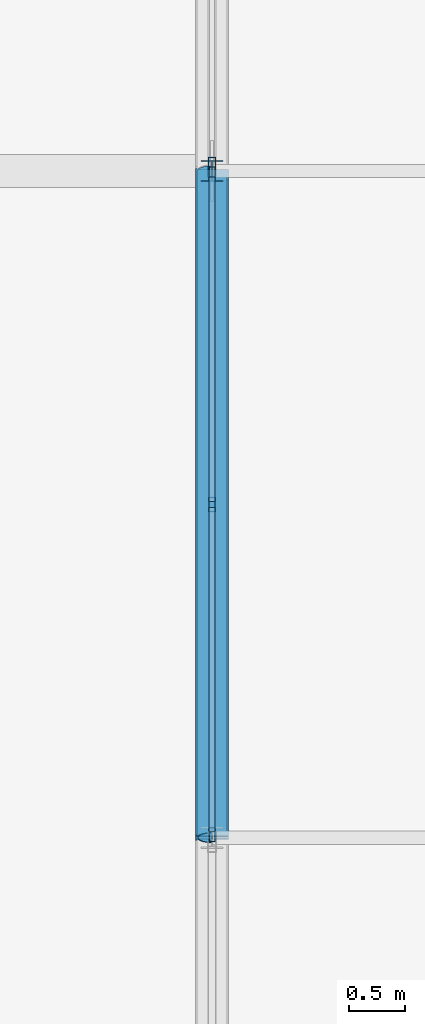
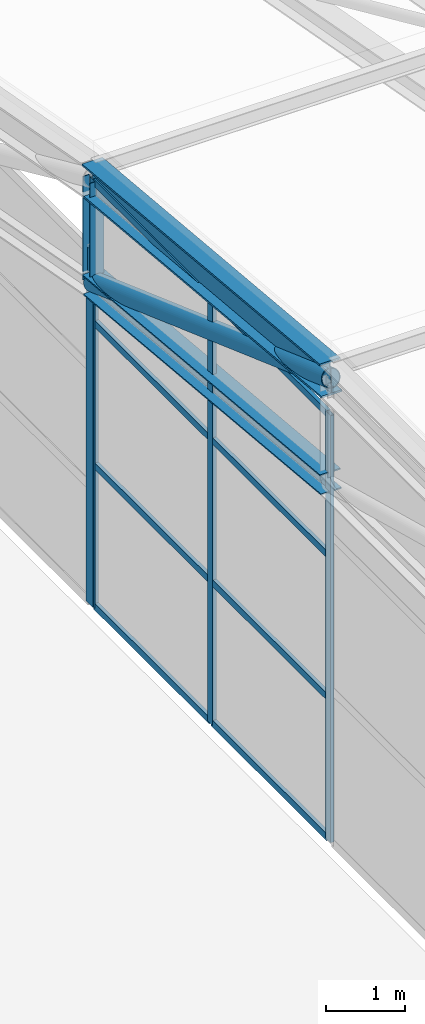
# One storey, part 33 of 204: 16 members, 2 elements without a shape of their own.
"""IFC4 building model written with IfcOpenShell, lengths in metres."""

from ifc_helpers import new_model, si_unit, direction, frame, origin, origin_2d, place, context, subcontext, project, spatial, hollow_rectangle, hollow_circle, i_section, extrude, material, layer, layer_set, material_profile, profile_set, type_object, element, aggregate, save


model = new_model("IFC4")

# Units and contexts
model_context = context("Model", 3, precision=1e-05, world=origin(), true_north=direction((0.0, 1.0)))
body_context = subcontext(model_context, "Body", "Model", "MODEL_VIEW")
ifc_project = project(units=[si_unit("LENGTHUNIT", "METRE"), si_unit("AREAUNIT", "SQUARE_METRE"), si_unit("VOLUMEUNIT", "CUBIC_METRE"), si_unit("PLANEANGLEUNIT", "RADIAN"), si_unit("MASSUNIT", "GRAM", prefix="KILO")], contexts=[model_context])

# Site, building, storey
site_placement = place(None, origin())
site = spatial("IfcSite", under=ifc_project, at=site_placement, CompositionType="ELEMENT")
building_placement = place(site_placement, origin())
building = spatial("IfcBuilding", under=site, at=building_placement, Name="Zilviju Railside Exhibition Hall", CompositionType="ELEMENT")
storey_placement = place(building_placement, frame((0.0, 0.0, 21.0)))
storey = spatial("IfcBuildingStorey", under=building, at=storey_placement, Name="RF", CompositionType="ELEMENT", Elevation=21.0)

# Curtain wall, members
ifc_material_1 = material(Name="Thermally broken aluminium-steel triple-glazed curtain wall", Category="steel")
ifc_layer_1 = layer(ifc_material_1, 0.179931640625)
ifc_layer_set_1 = layer_set([ifc_layer_1], Name="Thermally broken aluminium-steel triple-glazed curtain wall")
curtain_wall_type_1 = type_object("IfcCurtainWallType", Name="CW-BAY-14", PredefinedType="USERDEFINED", material=ifc_layer_set_1)
curtain_wall_1_placement = place(storey_placement, origin())
curtain_wall_1 = element("IfcCurtainWall", 1, at=curtain_wall_1_placement, inside=storey, type_object=curtain_wall_type_1, Name="South Hall Arch Tympanum Glazing West P6", ObjectType="GLAZED CURTAIN WALL", PredefinedType="USERDEFINED")
ifc_material_2 = material(Name="Thermally broken anodized aluminium mullion", Category="aluminium")
ifc_material_profile_1 = material_profile(ifc_material_2, hollow_rectangle(XDim=0.054931640625, YDim=0.1298828125, WallThickness=0.0048828125, at=origin_2d()), Name="MULLION 130x55x5")
ifc_profile_set_1 = profile_set([ifc_material_profile_1], Name="Thermally broken anodized aluminium mullion")
member_type_1 = type_object("IfcMemberType", Name="CWM-55x130", PredefinedType="MULLION", material=ifc_profile_set_1)
member_1_placement = place(storey_placement, frame((78.0, 30.027587890625, -7.800048828125), z_axis=(0.0, 0.0, 1.0), x_axis=(-1.0, 0.0, 0.0)))
member_1 = element("IfcMember", 2, at=member_1_placement, type_object=member_type_1, Name="CW-14 mullion 1", PredefinedType="MULLION", context=body_context, shape_type="SweptSolid", body=[
    extrude(hollow_rectangle(XDim=0.054931640625, YDim=0.1298828125, WallThickness=0.0048828125, at=origin_2d()), origin(), (0.0, 0.0, 1.0), 6.578125),
])
member_2_placement = place(storey_placement, frame((78.0, 33.0, -7.800048828125), z_axis=(0.0, 0.0, 1.0), x_axis=(-1.0, 0.0, 0.0)))
member_2 = element("IfcMember", 3, at=member_2_placement, type_object=member_type_1, Name="CW-14 mullion 2", PredefinedType="MULLION", context=body_context, shape_type="SweptSolid", body=[
    extrude(hollow_rectangle(XDim=0.054931640625, YDim=0.1298828125, WallThickness=0.0048828125, at=origin_2d()), origin(), (0.0, 0.0, 1.0), 6.578125),
])
member_3_placement = place(storey_placement, frame((78.0, 35.972412109375, -7.800048828125), z_axis=(0.0, 0.0, 1.0), x_axis=(-1.0, 0.0, 0.0)))
member_3 = element("IfcMember", 4, at=member_3_placement, type_object=member_type_1, Name="CW-14 mullion 3", PredefinedType="MULLION", context=body_context, shape_type="SweptSolid", body=[
    extrude(hollow_rectangle(XDim=0.054931640625, YDim=0.1298828125, WallThickness=0.0048828125, at=origin_2d()), origin(), (0.0, 0.0, 1.0), 6.578125),
])

# Curtain wall, member
ifc_layer_2 = layer(ifc_material_1, 0.179931640625)
ifc_layer_set_2 = layer_set([ifc_layer_2], Name="Thermally broken aluminium-steel triple-glazed curtain wall")
curtain_wall_type_2 = type_object("IfcCurtainWallType", Name="CW-BAY-15", PredefinedType="USERDEFINED", material=ifc_layer_set_2)
curtain_wall_2_placement = place(storey_placement, origin())
curtain_wall_2 = element("IfcCurtainWall", 5, at=curtain_wall_2_placement, inside=storey, type_object=curtain_wall_type_2, Name="South Hall Arch Tympanum Glazing West P7", ObjectType="GLAZED CURTAIN WALL", PredefinedType="USERDEFINED")
ifc_material_profile_2 = material_profile(ifc_material_2, hollow_rectangle(XDim=0.070068359375, YDim=0.179931640625, WallThickness=0.0048828125, at=origin_2d()), Name="MULLION 180x70x5")
ifc_profile_set_2 = profile_set([ifc_material_profile_2], Name="Thermally broken anodized aluminium mullion")
member_type_2 = type_object("IfcMemberType", Name="CWM-70x180", PredefinedType="MULLION", material=ifc_profile_set_2)
member_4_placement = place(storey_placement, frame((78.0, 36.034912109375, -7.800048828125), z_axis=(0.0, 0.0, 1.0), x_axis=(-1.0, 0.0, 0.0)))
member_4 = element("IfcMember", 6, at=member_4_placement, type_object=member_type_2, Name="CW-15 mullion 1", PredefinedType="MULLION", context=body_context, shape_type="SweptSolid", body=[
    extrude(hollow_rectangle(XDim=0.070068359375, YDim=0.179931640625, WallThickness=0.0048828125, at=origin_2d()), origin(), (0.0, 0.0, 1.0), 5.47216796875),
])
aggregate(curtain_wall_2, [member_4])

# Member
ifc_material_3 = material(Name="Thermally broken anodized aluminium transom", Category="aluminium")
ifc_material_profile_3 = material_profile(ifc_material_3, hollow_rectangle(XDim=0.054931640625, YDim=0.10498046875, WallThickness=0.0048828125, at=origin_2d()), Name="TRANSOM 105x55x5")
ifc_profile_set_3 = profile_set([ifc_material_profile_3], Name="Thermally broken anodized aluminium transom")
member_type_3 = type_object("IfcMemberType", Name="CWT-55x105", PredefinedType="USERDEFINED", material=ifc_profile_set_3)
member_5_placement = place(storey_placement, frame((78.0, 30.054931640625, -7.7724609375), z_axis=(0.0, 1.0, 0.0), x_axis=(-1.0, 0.0, 0.0)))
member_5 = element("IfcMember", 7, at=member_5_placement, type_object=member_type_3, Name="CW-14 transom 1.1", ObjectType="TRANSOM", PredefinedType="USERDEFINED", context=body_context, shape_type="SweptSolid", body=[
    extrude(hollow_rectangle(XDim=0.054931640625, YDim=0.10498046875, WallThickness=0.0048828125, at=origin_2d()), origin(), (0.0, 0.0, 1.0), 2.91748046875),
])

member_6_placement = place(storey_placement, frame((78.0, 30.054931640625, -5.60693359375), z_axis=(0.0, 1.0, 0.0), x_axis=(-1.0, 0.0, 0.0)))
member_6 = element("IfcMember", 8, at=member_6_placement, type_object=member_type_3, Name="CW-14 transom 1.2", ObjectType="TRANSOM", PredefinedType="USERDEFINED", context=body_context, shape_type="SweptSolid", body=[
    extrude(hollow_rectangle(XDim=0.054931640625, YDim=0.10498046875, WallThickness=0.0048828125, at=origin_2d()), origin(), (0.0, 0.0, 1.0), 2.91748046875),
])

member_7_placement = place(storey_placement, frame((78.0, 30.054931640625, -3.4150390625), z_axis=(0.0, 1.0, 0.0), x_axis=(-1.0, 0.0, 0.0)))
member_7 = element("IfcMember", 9, at=member_7_placement, type_object=member_type_3, Name="CW-14 transom 1.3", ObjectType="TRANSOM", PredefinedType="USERDEFINED", context=body_context, shape_type="SweptSolid", body=[
    extrude(hollow_rectangle(XDim=0.054931640625, YDim=0.10498046875, WallThickness=0.0048828125, at=origin_2d()), origin(), (0.0, 0.0, 1.0), 2.91748046875),
])

member_8_placement = place(storey_placement, frame((78.0, 30.054931640625, -1.24951171875), z_axis=(0.0, 1.0, 0.0), x_axis=(-1.0, 0.0, 0.0)))
member_8 = element("IfcMember", 10, at=member_8_placement, type_object=member_type_3, Name="CW-14 transom 1.4", ObjectType="TRANSOM", PredefinedType="USERDEFINED", context=body_context, shape_type="SweptSolid", body=[
    extrude(hollow_rectangle(XDim=0.054931640625, YDim=0.10498046875, WallThickness=0.0048828125, at=origin_2d()), origin(), (0.0, 0.0, 1.0), 2.91748046875),
])

member_9_placement = place(storey_placement, frame((78.0, 33.027587890625, -7.7724609375), z_axis=(0.0, 1.0, 0.0), x_axis=(-1.0, 0.0, 0.0)))
member_9 = element("IfcMember", 11, at=member_9_placement, type_object=member_type_3, Name="CW-14 transom 2.1", ObjectType="TRANSOM", PredefinedType="USERDEFINED", context=body_context, shape_type="SweptSolid", body=[
    extrude(hollow_rectangle(XDim=0.054931640625, YDim=0.10498046875, WallThickness=0.0048828125, at=origin_2d()), origin(), (0.0, 0.0, 1.0), 2.91748046875),
])

member_10_placement = place(storey_placement, frame((78.0, 33.027587890625, -5.60693359375), z_axis=(0.0, 1.0, 0.0), x_axis=(-1.0, 0.0, 0.0)))
member_10 = element("IfcMember", 12, at=member_10_placement, type_object=member_type_3, Name="CW-14 transom 2.2", ObjectType="TRANSOM", PredefinedType="USERDEFINED", context=body_context, shape_type="SweptSolid", body=[
    extrude(hollow_rectangle(XDim=0.054931640625, YDim=0.10498046875, WallThickness=0.0048828125, at=origin_2d()), origin(), (0.0, 0.0, 1.0), 2.91748046875),
])

member_11_placement = place(storey_placement, frame((78.0, 33.027587890625, -3.4150390625), z_axis=(0.0, 1.0, 0.0), x_axis=(-1.0, 0.0, 0.0)))
member_11 = element("IfcMember", 13, at=member_11_placement, type_object=member_type_3, Name="CW-14 transom 2.3", ObjectType="TRANSOM", PredefinedType="USERDEFINED", context=body_context, shape_type="SweptSolid", body=[
    extrude(hollow_rectangle(XDim=0.054931640625, YDim=0.10498046875, WallThickness=0.0048828125, at=origin_2d()), origin(), (0.0, 0.0, 1.0), 2.91748046875),
])

member_12_placement = place(storey_placement, frame((78.0, 33.027587890625, -1.24951171875), z_axis=(0.0, 1.0, 0.0), x_axis=(-1.0, 0.0, 0.0)))
member_12 = element("IfcMember", 14, at=member_12_placement, type_object=member_type_3, Name="CW-14 transom 2.4", ObjectType="TRANSOM", PredefinedType="USERDEFINED", context=body_context, shape_type="SweptSolid", body=[
    extrude(hollow_rectangle(XDim=0.054931640625, YDim=0.10498046875, WallThickness=0.0048828125, at=origin_2d()), origin(), (0.0, 0.0, 1.0), 2.91748046875),
])

aggregate(curtain_wall_1, [member_1, member_2, member_3, member_5, member_6, member_7, member_8, member_9, member_10, member_11, member_12])

# Members
ifc_material_4 = material(Name="Steel S355ML", Category="steel")
ifc_material_profile_4 = material_profile(ifc_material_4, hollow_circle(Radius=0.136474609375, WallThickness=0.012451171875, at=origin_2d()), Name="CHS 273.0x12.5")
ifc_profile_set_4 = profile_set([ifc_material_profile_4], Name="Steel S355ML")
member_type_4 = type_object("IfcMemberType", Name="TR-BR-CHS273", PredefinedType="BRACE", material=ifc_profile_set_4)
member_13_placement = place(storey_placement, frame((78.0, 30.0, -0.669189453125), z_axis=(0.0, 0.94123307508, -0.337757751023), x_axis=(-1.0, 0.0, 0.0)))
element("IfcMember", 15, at=member_13_placement, inside=storey, type_object=member_type_4, Name="V1 Parabolic Arch Web Diagonal X=78.0 P6", PredefinedType="BRACE", context=body_context, shape_type="SweptSolid", body=[
    extrude(hollow_circle(Radius=0.136474609375, WallThickness=0.012451171875, at=origin_2d()), origin(), (0.0, 0.0, 1.0), 6.37451171875),
])
ifc_material_profile_5 = material_profile(ifc_material_4, i_section(OverallWidth=0.300048828125, OverallDepth=0.300048828125, WebThickness=0.010986328125, FlangeThickness=0.01904296875, at=origin_2d()), Name="HEB 300")
ifc_profile_set_5 = profile_set([ifc_material_profile_5], Name="Steel S355ML")
member_type_5 = type_object("IfcMemberType", Name="TR-CH-HEB300", PredefinedType="CHORD", material=ifc_profile_set_5)
member_14_placement = place(storey_placement, frame((78.0, 30.0, -2.26904296875), z_axis=(0.0, 0.995776144786, -0.091814320641), x_axis=(-1.0, 0.0, 0.0)))
element("IfcMember", 16, at=member_14_placement, inside=storey, type_object=member_type_5, Name="V1 Parabolic Arch Bottom Chord X=78.0 P6", PredefinedType="CHORD", context=body_context, shape_type="SweptSolid", body=[
    extrude(i_section(OverallWidth=0.300048828125, OverallDepth=0.300048828125, WebThickness=0.010986328125, FlangeThickness=0.01904296875, at=origin_2d()), origin(), (0.0, 0.0, 1.0), 6.025390625),
])
ifc_material_profile_6 = material_profile(ifc_material_4, i_section(OverallWidth=0.300048828125, OverallDepth=0.5, WebThickness=0.014404296875, FlangeThickness=0.028076171875, at=origin_2d()), Name="HEB 500")
ifc_profile_set_6 = profile_set([ifc_material_profile_6], Name="Steel S355ML")
member_type_6 = type_object("IfcMemberType", Name="TR-CH-HEB500-ML", PredefinedType="CHORD", material=ifc_profile_set_6)
member_15_placement = place(storey_placement, frame((78.0, 30.0, -0.669189453125), z_axis=(0.0, 0.99577984843, -0.091774143746), x_axis=(-1.0, 0.0, 0.0)))
element("IfcMember", 17, at=member_15_placement, inside=storey, type_object=member_type_6, Name="V1 Parabolic Arch Top Chord X=78.0 P6", PredefinedType="CHORD", context=body_context, shape_type="SweptSolid", body=[
    extrude(i_section(OverallWidth=0.300048828125, OverallDepth=0.5, WebThickness=0.014404296875, FlangeThickness=0.028076171875, at=origin_2d()), origin(), (0.0, 0.0, 1.0), 6.025390625),
])
ifc_material_profile_7 = material_profile(ifc_material_4, i_section(OverallWidth=0.199951171875, OverallDepth=0.18994140625, WebThickness=0.006591796875, FlangeThickness=0.010009765625, at=origin_2d()), Name="HEA 200")
ifc_profile_set_7 = profile_set([ifc_material_profile_7], Name="Steel S355ML")
member_type_7 = type_object("IfcMemberType", Name="TR-POST-HEA200", PredefinedType="POST", material=ifc_profile_set_7)
member_16_placement = place(storey_placement, frame((78.0, 36.0, -2.822265625), z_axis=(0.0, 0.0, 1.0), x_axis=(1.0, 0.0, 0.0)))
element("IfcMember", 18, at=member_16_placement, inside=storey, type_object=member_type_7, Name="V1 Parabolic Arch Web Post X=78.0 N6", PredefinedType="POST", context=body_context, shape_type="SweptSolid", body=[
    extrude(i_section(OverallWidth=0.199951171875, OverallDepth=0.18994140625, WebThickness=0.006591796875, FlangeThickness=0.010009765625, at=origin_2d()), origin(), (0.0, 0.0, 1.0), 1.60009765625),
])

save(model, "model.ifc")
